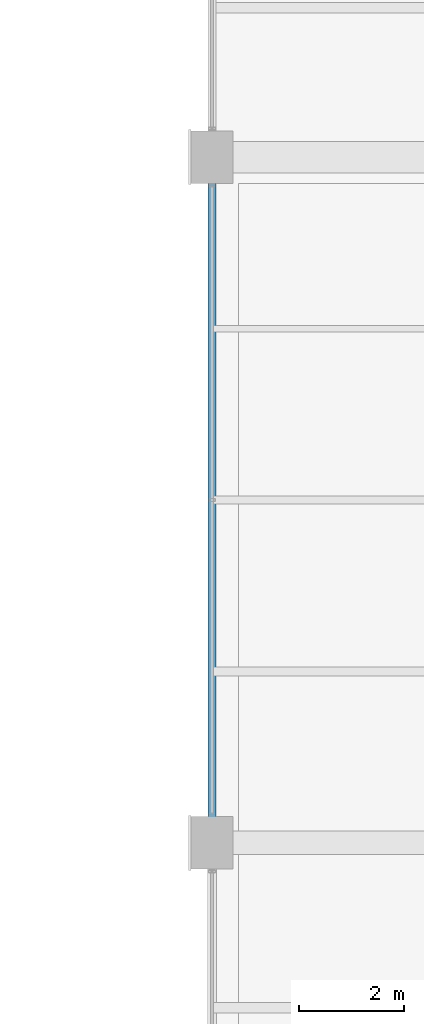
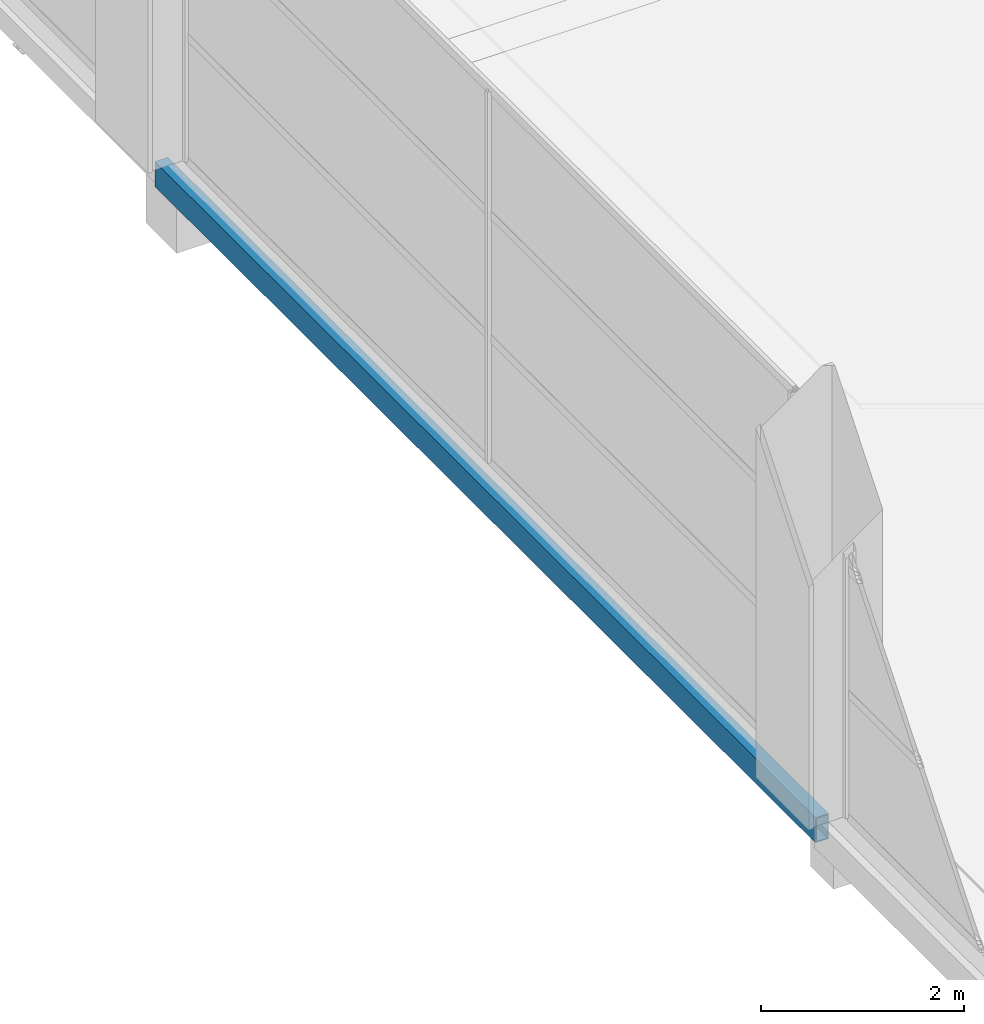
# One storey, part 50 of 112: 1 beam.
"""IFC4 building model written with IfcOpenShell, lengths in metres."""

from ifc_helpers import new_model, si_unit, direction, frame, origin, origin_2d, place, context, subcontext, project, spatial, hollow_rectangle, extrude, material, material_profile, profile_set, type_object, element, save


model = new_model("IFC4")

# Units and contexts
model_context = context("Model", 3, precision=1e-05, world=origin(), true_north=direction((0.0, 1.0)))
body_context = subcontext(model_context, "Body", "Model", "MODEL_VIEW")
ifc_project = project(units=[si_unit("LENGTHUNIT", "METRE"), si_unit("AREAUNIT", "SQUARE_METRE"), si_unit("VOLUMEUNIT", "CUBIC_METRE"), si_unit("PLANEANGLEUNIT", "RADIAN"), si_unit("MASSUNIT", "GRAM", prefix="KILO")], contexts=[model_context])

# Site, building, storey
site_placement = place(None, origin())
site = spatial("IfcSite", under=ifc_project, at=site_placement, CompositionType="ELEMENT")
building_placement = place(site_placement, origin())
building = spatial("IfcBuilding", under=site, at=building_placement, Name="Solvikara Media Centre", CompositionType="ELEMENT")
storey_placement = place(building_placement, frame((0.0, 0.0, 5.39990234375)))
storey = spatial("IfcBuildingStorey", under=building, at=storey_placement, Name="L01", CompositionType="ELEMENT", Elevation=5.39990234375)

# Beam
ifc_material = material(Name="Steel S355JR", Category="steel")
ifc_material_profile = material_profile(ifc_material, hollow_rectangle(XDim=0.14990234375, YDim=0.300048828125, WallThickness=0.010009765625, at=origin_2d()), Name="RHS 300x150x10")
ifc_profile_set = profile_set([ifc_material_profile], Name="Steel S355JR")
beam_type = type_object("IfcBeamType", Name="BM-35", PredefinedType="BEAM", material=ifc_profile_set)
beam_placement = place(storey_placement, frame((127.5, 59.0, -0.451904296875), z_axis=(0.0, 1.0, 0.0), x_axis=(-1.0, 0.0, 0.0)))
element("IfcBeam", 1, at=beam_placement, inside=storey, type_object=beam_type, Name="B-L01-Y0605", PredefinedType="BEAM", context=body_context, shape_type="SweptSolid", body=[
    extrude(hollow_rectangle(XDim=0.14990234375, YDim=0.300048828125, WallThickness=0.010009765625, at=origin_2d()), origin(), (0.0, 0.0, 1.0), 13.0),
])

save(model, "model.ifc")
